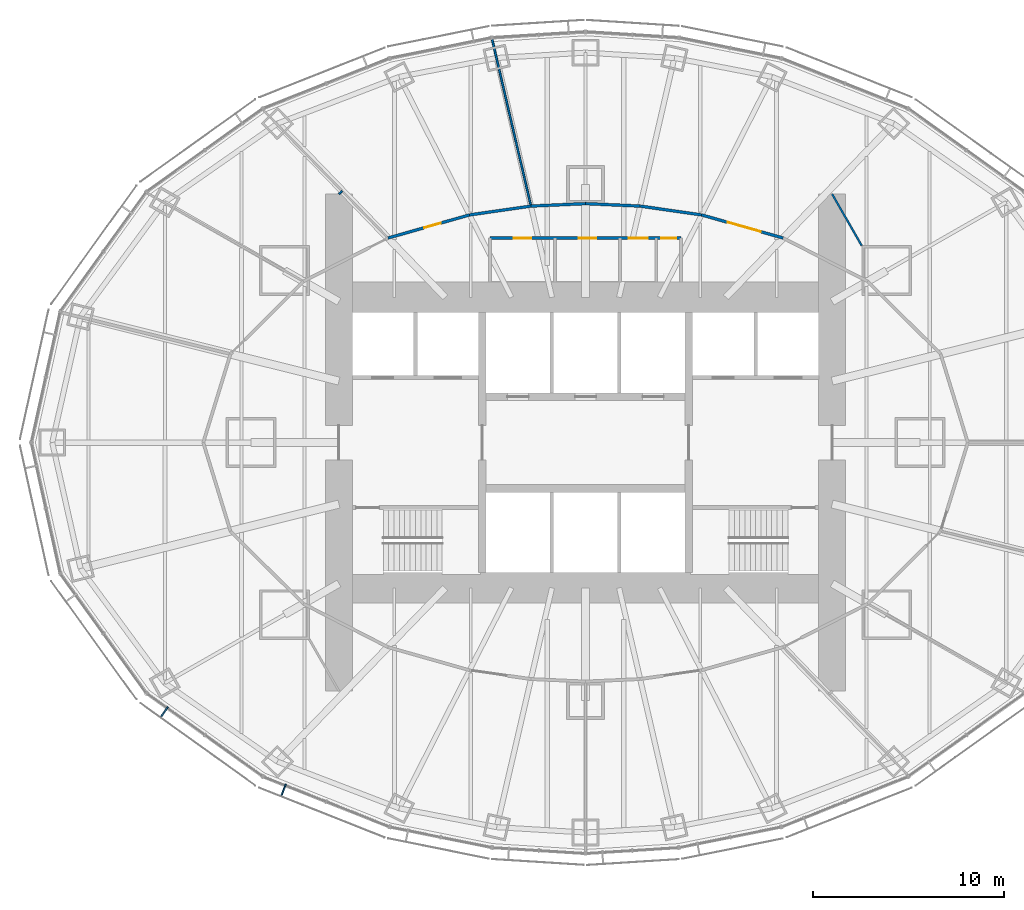
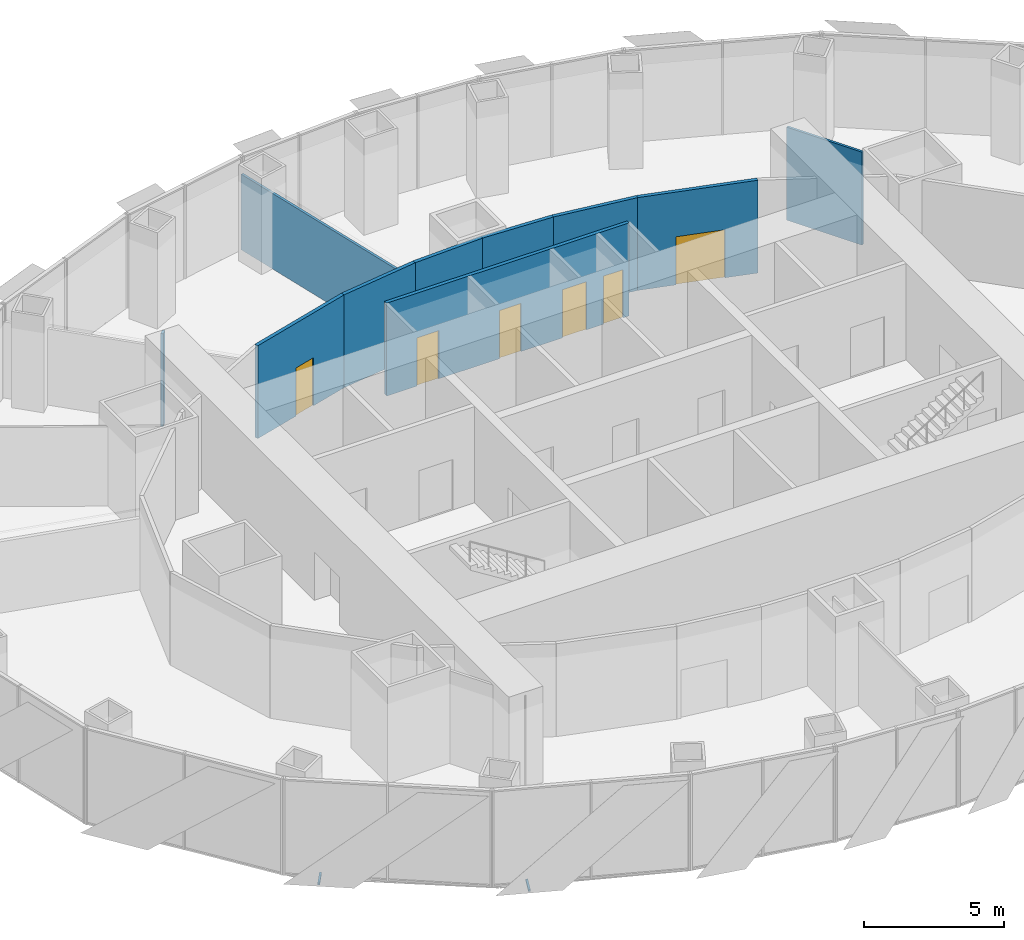
# One storey, part 13 of 18: 10 walls, 6 doors, 2 discrete accessories, 6 openings.
"""IFC4 building model written with IfcOpenShell, lengths in metres."""

from ifc_helpers import new_model, si_unit, direction, frame, frame_2d, origin, origin_2d, place, context, subcontext, project, spatial, rectangle, extrude, material, layer, layer_set, type_object, element, fill, save


model = new_model("IFC4")

# Units and contexts
model_context = context("Model", 3, precision=1e-05, world=origin(), true_north=direction((0.0, 1.0)))
body_context = subcontext(model_context, "Body", "Model", "MODEL_VIEW")
ifc_project = project(units=[si_unit("LENGTHUNIT", "METRE"), si_unit("AREAUNIT", "SQUARE_METRE"), si_unit("VOLUMEUNIT", "CUBIC_METRE"), si_unit("PLANEANGLEUNIT", "RADIAN"), si_unit("MASSUNIT", "GRAM", prefix="KILO")], contexts=[model_context])

# Site, building, storey
site_placement = place(None, origin())
site = spatial("IfcSite", under=ifc_project, at=site_placement, CompositionType="ELEMENT")
building_placement = place(site_placement, origin())
building = spatial("IfcBuilding", under=site, at=building_placement, Name="Lantaw Convention Tower", CompositionType="ELEMENT")
storey_placement = place(building_placement, frame((0.0, 0.0, 130.0)))
storey = spatial("IfcBuildingStorey", under=building, at=storey_placement, Name="L30", CompositionType="ELEMENT", Elevation=130.0)

# Wall, opening, door
ifc_material_1 = material(Name="Gypsum board on steel studs, fire rated", Category="steel")
ifc_layer_1 = layer(ifc_material_1, 0.14990234375)
ifc_layer_set_1 = layer_set([ifc_layer_1], Name="Corridor wall 150 EI 60")
wall_type_1 = type_object("IfcWallType", Name="Corridor wall 150 EI 60", PredefinedType="PARTITIONING", material=ifc_layer_set_1)
wall_1_placement = place(storey_placement, frame((10.334716796875, 10.701904296875, 0.0), z_axis=(0.0, 0.0, 1.0), x_axis=(-0.962122152905, 0.272618713388, 0.0)))
wall_1 = element("IfcWall", 1, at=wall_1_placement, inside=storey, type_object=wall_type_1, Name="Corridor wall 150", PredefinedType="PARTITIONING", context=body_context, shape_type="SweptSolid", body=[
    extrude(rectangle(XDim=4.433837890625, YDim=0.14990234375, at=frame_2d((2.216796875, 0.0))), origin(), (0.0, 0.0, 1.0), 4.050048828125),
])
opening_1_placement = place(wall_1_placement, frame((1.210693359375, 0.0, 0.0)))
opening_1 = element("IfcOpeningElement", 2, at=opening_1_placement, cuts=wall_1, Name="Opening L30.18", PredefinedType="OPENING", context=body_context, shape_type="SweptSolid", body=[
    extrude(rectangle(XDim=1.800048828125, YDim=2.10009765625, at=frame_2d((0.89990234375, 1.050048828125))), frame((0.0, 0.0849609375, 0.0), z_axis=(0.0, -1.0, 0.0), x_axis=(1.0, 0.0, 0.0)), (0.0, 0.0, 1.0), 0.169921875),
])
ifc_material_2 = material(Name="Steel, fire rated", Category="steel")
door_type_1 = type_object("IfcDoorType", Name="Office double door 1800 FD30", OperationType="DOUBLE_DOOR_DOUBLE_SWING", PredefinedType="DOOR", material=ifc_material_2)
door_1_placement = place(opening_1_placement, origin())
door_1 = element("IfcDoor", 3, at=door_1_placement, inside=storey, type_object=door_type_1, Name="Contact-centre floor door", OperationType="DOUBLE_DOOR_DOUBLE_SWING", OverallHeight=2.10009765625, OverallWidth=1.800048828125, PredefinedType="DOOR", context=body_context, shape_type="SweptSolid", body=[
    extrude(rectangle(XDim=1.800048828125, YDim=2.10009765625, at=frame_2d((0.89990234375, 1.050048828125))), frame((0.0, 0.02490234375, 0.0), z_axis=(0.0, -1.0, 0.0), x_axis=(1.0, 0.0, 0.0)), (0.0, 0.0, 1.0), 0.050048828125),
])
fill(opening_1, door_1)

# Walls
wall_2_placement = place(storey_placement, frame((6.06884765625, 11.91064453125, 0.0), z_axis=(0.0, 0.0, 1.0), x_axis=(-0.989852979412, 0.14209531713, 0.0)))
element("IfcWall", 4, at=wall_2_placement, inside=storey, type_object=wall_type_1, Name="Corridor wall 150", PredefinedType="PARTITIONING", context=body_context, shape_type="SweptSolid", body=[
    extrude(rectangle(XDim=3.24560546875, YDim=0.14990234375, at=frame_2d((1.622802734375, 0.0))), origin(), (0.0, 0.0, 1.0), 4.050048828125),
])
for number, where, z_axis, x_axis, name in (
    (5, (2.856201171875, 12.371826171875, 0.0), (0.0, 0.0, 1.0), (-0.998994607156, 0.044830512758, 0.0), "Corridor wall 150"),
    (6, (0.0, 12.5, 0.0), (0.0, 0.0, 1.0), (-0.998994607156, -0.044830512758, 0.0), "Corridor wall 150"),
):
    element("IfcWall", number, at=place(storey_placement, frame(where, z_axis=z_axis, x_axis=x_axis)), inside=storey, type_object=wall_type_1, Name=name, PredefinedType="PARTITIONING", context=body_context, shape_type="SweptSolid", body=[
        extrude(rectangle(XDim=2.859130859375, YDim=0.14990234375, at=frame_2d((1.4296875, 0.0))), origin(), (0.0, 0.0, 1.0), 4.050048828125),
    ])
wall_3_placement = place(storey_placement, frame((-2.856201171875, 12.371826171875, 0.0), z_axis=(0.0, 0.0, 1.0), x_axis=(-0.989852979412, -0.14209531713, 0.0)))
element("IfcWall", 7, at=wall_3_placement, inside=storey, type_object=wall_type_1, Name="Corridor wall 150", PredefinedType="PARTITIONING", context=body_context, shape_type="SweptSolid", body=[
    extrude(rectangle(XDim=3.24560546875, YDim=0.14990234375, at=frame_2d((1.622802734375, 0.0))), origin(), (0.0, 0.0, 1.0), 4.050048828125),
])

# Wall, opening, door
wall_4_placement = place(storey_placement, frame((-6.06884765625, 11.91064453125, 0.0), z_axis=(0.0, 0.0, 1.0), x_axis=(-0.962122152905, -0.272618713388, 0.0)))
wall_4 = element("IfcWall", 8, at=wall_4_placement, inside=storey, type_object=wall_type_1, Name="Corridor wall 150", PredefinedType="PARTITIONING", context=body_context, shape_type="SweptSolid", body=[
    extrude(rectangle(XDim=4.433837890625, YDim=0.14990234375, at=frame_2d((2.216796875, 0.0))), origin(), (0.0, 0.0, 1.0), 4.050048828125),
])
opening_2_placement = place(wall_4_placement, frame((1.564697265625, 0.0, 0.0)))
opening_2 = element("IfcOpeningElement", 9, at=opening_2_placement, cuts=wall_4, Name="Opening L30.19", PredefinedType="OPENING", context=body_context, shape_type="SweptSolid", body=[
    extrude(rectangle(XDim=0.89990234375, YDim=2.10009765625, at=frame_2d((0.449951171875, 1.050048828125))), frame((0.0, 0.0849609375, 0.0), z_axis=(0.0, -1.0, 0.0), x_axis=(1.0, 0.0, 0.0)), (0.0, 0.0, 1.0), 0.169921875),
])
door_type_2 = type_object("IfcDoorType", Name="Office door 900 FD30", OperationType="SINGLE_SWING_LEFT", PredefinedType="DOOR", material=ifc_material_2)
door_2_placement = place(opening_2_placement, origin())
door_2 = element("IfcDoor", 10, at=door_2_placement, inside=storey, type_object=door_type_2, Name="Training room door", OperationType="SINGLE_SWING_LEFT", OverallHeight=2.10009765625, OverallWidth=0.89990234375, PredefinedType="DOOR", context=body_context, shape_type="SweptSolid", body=[
    extrude(rectangle(XDim=0.89990234375, YDim=2.10009765625, at=frame_2d((0.449951171875, 1.050048828125))), frame((0.0, 0.02490234375, 0.0), z_axis=(0.0, -1.0, 0.0), x_axis=(1.0, 0.0, 0.0)), (0.0, 0.0, 1.0), 0.050048828125),
])
fill(opening_2, door_2)

# Walls
ifc_material_3 = material(Name="Gypsum board on steel studs, acoustic", Category="steel")
ifc_layer_2 = layer(ifc_material_3, 0.10009765625)
ifc_layer_set_2 = layer_set([ifc_layer_2], Name="Office partition 100")
wall_type_2 = type_object("IfcWallType", Name="Office partition 100", PredefinedType="PARTITIONING", material=ifc_layer_set_2)
wall_5_placement = place(storey_placement, frame((-4.89697265625, 21.134765625, 0.0), z_axis=(0.0, 0.0, 1.0), x_axis=(0.226817002645, -0.973937393938, 0.0)))
element("IfcWall", 11, at=wall_5_placement, inside=storey, type_object=wall_type_2, Name="Office partition 100", PredefinedType="PARTITIONING", context=body_context, shape_type="SweptSolid", body=[
    extrude(rectangle(XDim=8.997314453125, YDim=0.10009765625, at=frame_2d((4.49853515625, 0.0))), origin(), (0.0, 0.0, 1.0), 3.29296875),
])
wall_6_placement = place(storey_placement, frame((12.89990234375, 13.0, 0.0), z_axis=(0.0, 0.0, 1.0), x_axis=(0.497886086714, -0.867242437071, 0.0)))
element("IfcWall", 12, at=wall_6_placement, inside=storey, type_object=wall_type_2, Name="Office partition 100", PredefinedType="PARTITIONING", context=body_context, shape_type="SweptSolid", body=[
    extrude(rectangle(XDim=3.11328125, YDim=0.10009765625, at=frame_2d((1.556640625, 0.0))), origin(), (0.0, 0.0, 1.0), 4.050048828125),
])
wall_7_placement = place(storey_placement, frame((-12.89990234375, 13.0, 0.0), z_axis=(0.0, 0.0, 1.0), x_axis=(0.716013316663, 0.698086620959, 0.0)))
element("IfcWall", 13, at=wall_7_placement, inside=storey, type_object=wall_type_2, Name="Office partition 100", PredefinedType="PARTITIONING", context=body_context, shape_type="SweptSolid", body=[
    extrude(rectangle(XDim=0.2314453125, YDim=0.10009765625, at=frame_2d((0.11572265625, 0.0))), origin(), (0.0, 0.0, 1.0), 4.050048828125),
])

# Wall, openings, doors
ifc_material_4 = material(Name="Concrete blockwork", Category="masonry")
ifc_layer_3 = layer(ifc_material_4, 0.14990234375)
ifc_layer_set_3 = layer_set([ifc_layer_3], Name="WC wall 150")
wall_type_3 = type_object("IfcWallType", Name="WC wall 150", PredefinedType="SOLIDWALL", material=ifc_layer_set_3)
wall_8_placement = place(storey_placement, frame((-5.0, 10.699951171875, 0.0), z_axis=(0.0, 0.0, 1.0), x_axis=(1.0, 0.0, 0.0)))
wall_8 = element("IfcWall", 14, at=wall_8_placement, inside=storey, type_object=wall_type_3, Name="WC wall 150", PredefinedType="SOLIDWALL", context=body_context, shape_type="SweptSolid", body=[
    extrude(rectangle(XDim=10.0, YDim=0.14990234375, at=frame_2d((5.0, 0.0))), origin(), (0.0, 0.0, 1.0), 4.050048828125),
])
opening_3_placement = place(wall_8_placement, frame((1.25, 0.0, 0.0)))
opening_3 = element("IfcOpeningElement", 15, at=opening_3_placement, cuts=wall_8, Name="Opening L30.14", PredefinedType="OPENING", context=body_context, shape_type="SweptSolid", body=[
    extrude(rectangle(XDim=0.89990234375, YDim=2.10009765625, at=frame_2d((0.449951171875, 1.050048828125))), frame((0.0, 0.0849609375, 0.0), z_axis=(0.0, -1.0, 0.0), x_axis=(1.0, 0.0, 0.0)), (0.0, 0.0, 1.0), 0.169921875),
])
opening_4_placement = place(wall_8_placement, frame((4.64990234375, 0.0, 0.0)))
opening_4 = element("IfcOpeningElement", 16, at=opening_4_placement, cuts=wall_8, Name="Opening L30.15", PredefinedType="OPENING", context=body_context, shape_type="SweptSolid", body=[
    extrude(rectangle(XDim=0.89990234375, YDim=2.10009765625, at=frame_2d((0.449951171875, 1.050048828125))), frame((0.0, 0.0849609375, 0.0), z_axis=(0.0, -1.0, 0.0), x_axis=(1.0, 0.0, 0.0)), (0.0, 0.0, 1.0), 0.169921875),
])
opening_5_placement = place(wall_8_placement, frame((7.25, 0.0, 0.0)))
opening_5 = element("IfcOpeningElement", 17, at=opening_5_placement, cuts=wall_8, Name="Opening L30.16", PredefinedType="OPENING", context=body_context, shape_type="SweptSolid", body=[
    extrude(rectangle(XDim=1.0, YDim=2.10009765625, at=frame_2d((0.5, 1.050048828125))), frame((0.0, 0.0849609375, 0.0), z_axis=(0.0, -1.0, 0.0), x_axis=(1.0, 0.0, 0.0)), (0.0, 0.0, 1.0), 0.169921875),
])
opening_6_placement = place(wall_8_placement, frame((8.949951171875, 0.0, 0.0)))
opening_6 = element("IfcOpeningElement", 18, at=opening_6_placement, cuts=wall_8, Name="Opening L30.17", PredefinedType="OPENING", context=body_context, shape_type="SweptSolid", body=[
    extrude(rectangle(XDim=0.800048828125, YDim=2.10009765625, at=frame_2d((0.39990234375, 1.050048828125))), frame((0.0, 0.0849609375, 0.0), z_axis=(0.0, -1.0, 0.0), x_axis=(1.0, 0.0, 0.0)), (0.0, 0.0, 1.0), 0.169921875),
])
ifc_material_5 = material(Name="Timber", Category="wood")
door_type_3 = type_object("IfcDoorType", Name="Accessible WC door 1000", OperationType="SINGLE_SWING_LEFT", PredefinedType="DOOR", material=ifc_material_5)
door_3_placement = place(opening_5_placement, origin())
door_3 = element("IfcDoor", 19, at=door_3_placement, inside=storey, type_object=door_type_3, Name="Accessible WC door", OperationType="SINGLE_SWING_LEFT", OverallHeight=2.10009765625, OverallWidth=1.0, PredefinedType="DOOR", context=body_context, shape_type="SweptSolid", body=[
    extrude(rectangle(XDim=1.0, YDim=2.10009765625, at=frame_2d((0.5, 1.050048828125))), frame((0.0, 0.02490234375, 0.0), z_axis=(0.0, -1.0, 0.0), x_axis=(1.0, 0.0, 0.0)), (0.0, 0.0, 1.0), 0.050048828125),
])
fill(opening_5, door_3)
door_type_4 = type_object("IfcDoorType", Name="WC door 800", OperationType="SINGLE_SWING_LEFT", PredefinedType="DOOR", material=ifc_material_5)
door_4_placement = place(opening_6_placement, origin())
door_4 = element("IfcDoor", 20, at=door_4_placement, inside=storey, type_object=door_type_4, Name="Cleaner's store door", OperationType="SINGLE_SWING_LEFT", OverallHeight=2.10009765625, OverallWidth=0.800048828125, PredefinedType="DOOR", context=body_context, shape_type="SweptSolid", body=[
    extrude(rectangle(XDim=0.800048828125, YDim=2.10009765625, at=frame_2d((0.39990234375, 1.050048828125))), frame((0.0, 0.02490234375, 0.0), z_axis=(0.0, -1.0, 0.0), x_axis=(1.0, 0.0, 0.0)), (0.0, 0.0, 1.0), 0.050048828125),
])
fill(opening_6, door_4)
door_type_5 = type_object("IfcDoorType", Name="WC door 900", OperationType="SINGLE_SWING_LEFT", PredefinedType="DOOR", material=ifc_material_5)
door_5_placement = place(opening_3_placement, origin())
door_5 = element("IfcDoor", 21, at=door_5_placement, inside=storey, type_object=door_type_5, Name="Male WC door", OperationType="SINGLE_SWING_LEFT", OverallHeight=2.10009765625, OverallWidth=0.89990234375, PredefinedType="DOOR", context=body_context, shape_type="SweptSolid", body=[
    extrude(rectangle(XDim=0.89990234375, YDim=2.10009765625, at=frame_2d((0.449951171875, 1.050048828125))), frame((0.0, 0.02490234375, 0.0), z_axis=(0.0, -1.0, 0.0), x_axis=(1.0, 0.0, 0.0)), (0.0, 0.0, 1.0), 0.050048828125),
])
fill(opening_3, door_5)
door_6_placement = place(opening_4_placement, origin())
door_6 = element("IfcDoor", 22, at=door_6_placement, inside=storey, type_object=door_type_5, Name="Female WC door", OperationType="SINGLE_SWING_LEFT", OverallHeight=2.10009765625, OverallWidth=0.89990234375, PredefinedType="DOOR", context=body_context, shape_type="SweptSolid", body=[
    extrude(rectangle(XDim=0.89990234375, YDim=2.10009765625, at=frame_2d((0.449951171875, 1.050048828125))), frame((0.0, 0.02490234375, 0.0), z_axis=(0.0, -1.0, 0.0), x_axis=(1.0, 0.0, 0.0)), (0.0, 0.0, 1.0), 0.050048828125),
])
fill(opening_4, door_6)

# Discrete accessories
for number, where, z_axis, x_axis, name in (
    (23, (-22.044189453125, -14.10546875, -0.114990234375), (0.0, 0.0, 1.0), (0.813208325995, -0.581972695693, 0.0), "Screen bracket"),
    (24, (-15.802978515625, -18.18798828125, -0.114990234375), (0.0, 0.0, 1.0), (0.929547687544, -0.368701907483, 0.0), "Screen bracket"),
):
    element("IfcDiscreteAccessory", number, at=place(storey_placement, frame(where, z_axis=z_axis, x_axis=x_axis)), inside=storey, Name=name, PredefinedType="BRACKET", context=body_context, shape_type="SweptSolid", body=[
        extrude(rectangle(XDim=0.080078125, YDim=0.68798828125, at=origin_2d()), origin(), (0.0, 0.0, 1.0), 0.080078125),
    ])

save(model, "model.ifc")
